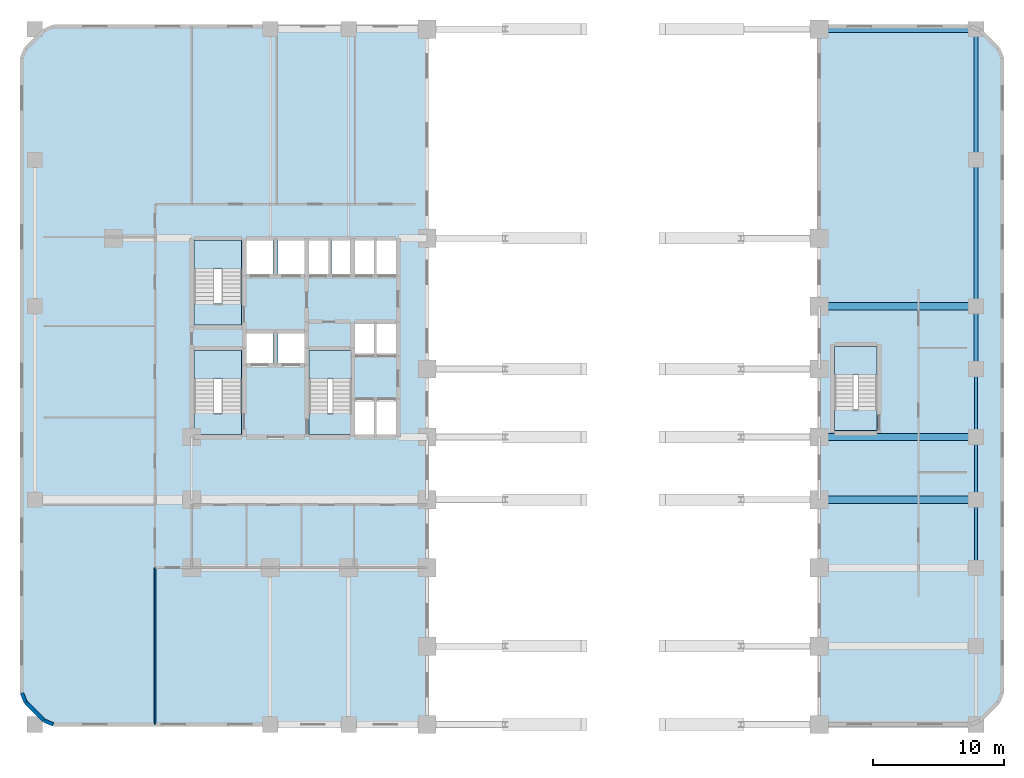
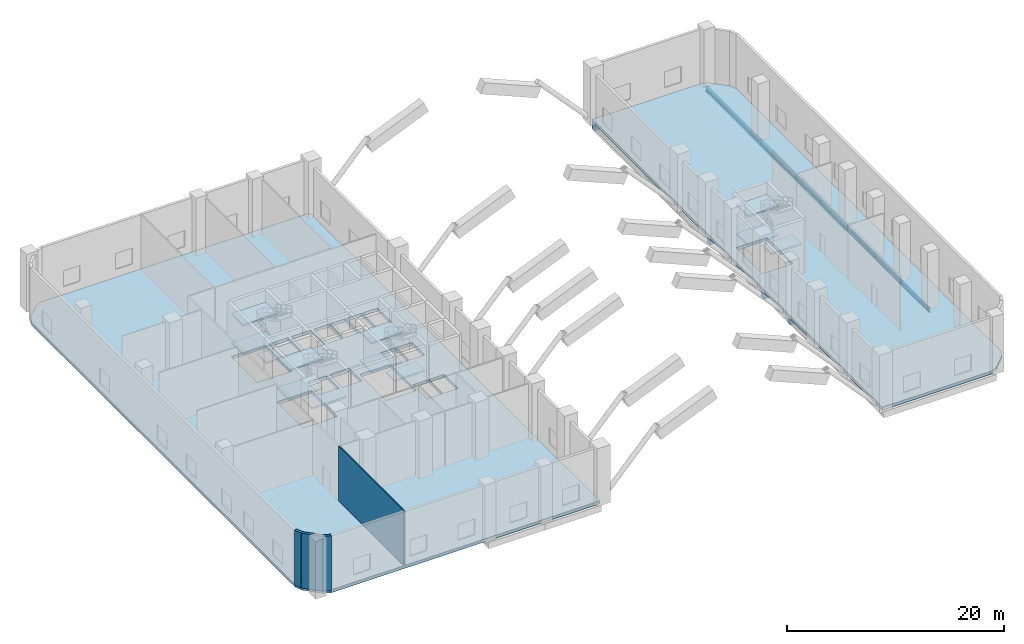
# One storey, part 2 of 10: 14 slabs, 10 beams, 4 walls, 4 elements without a shape of their own.
"""IFC4 building model written with IfcOpenShell, lengths in metres."""

from ifc_helpers import new_model, si_unit, direction, frame, frame_2d, origin, origin_2d, place, context, subcontext, project, spatial, polyline, rectangle, i_section, outline, extrude, material, layer, layer_set, material_profile, profile_set, type_object, element, aggregate, save


model = new_model("IFC4")

# Units and contexts
model_context = context("Model", 3, precision=1e-05, world=origin(), true_north=direction((0.0, 1.0)))
body_context = subcontext(model_context, "Body", "Model", "MODEL_VIEW")
ifc_project = project(units=[si_unit("LENGTHUNIT", "METRE"), si_unit("AREAUNIT", "SQUARE_METRE"), si_unit("VOLUMEUNIT", "CUBIC_METRE"), si_unit("PLANEANGLEUNIT", "RADIAN"), si_unit("MASSUNIT", "GRAM", prefix="KILO")], contexts=[model_context])

# Site, building, storey
site_placement = place(None, origin())
site = spatial("IfcSite", under=ifc_project, at=site_placement, CompositionType="ELEMENT")
building_placement = place(site_placement, origin())
building = spatial("IfcBuilding", under=site, at=building_placement, Name="Keshet Zoharim Tower", CompositionType="ELEMENT")
storey_placement = place(building_placement, frame((0.0, 0.0, 6.5)))
storey = spatial("IfcBuildingStorey", under=building, at=storey_placement, Name="L01", CompositionType="ELEMENT", Elevation=6.5)

# Beams
ifc_material_1 = material(Name="Concrete C50/60", Category="concrete")
ifc_material_profile_1 = material_profile(ifc_material_1, rectangle(XDim=0.550048828125, YDim=0.699951171875, at=origin_2d()), Name="RC700x550")
ifc_profile_set_1 = profile_set([ifc_material_profile_1], Name="Concrete C50/60")
beam_type_1 = type_object("IfcBeamType", Name="BM-LNT-700", PredefinedType="LINTEL", material=ifc_profile_set_1)
for number, where, z_axis, x_axis, name in (
    (1, (63.0, 17.89990234375, -0.679931640625), (1.0, 0.0, 0.0), (0.0, 1.0, 0.0), "L01 Primary Girder X-011"),
    (2, (63.0, 22.699951171875, -0.679931640625), (1.0, 0.0, 0.0), (0.0, 1.0, 0.0), "L01 Primary Girder X-013"),
    (3, (63.0, 32.699951171875, -0.679931640625), (1.0, 0.0, 0.0), (0.0, 1.0, 0.0), "L01 Primary Girder X-014"),
    (4, (63.0, 53.89990234375, -0.679931640625), (1.0, 0.0, 0.0), (0.0, 1.0, 0.0), "L01 Primary Girder X-019"),
):
    element("IfcBeam", number, at=place(storey_placement, frame(where, z_axis=z_axis, x_axis=x_axis)), inside=storey, type_object=beam_type_1, Name=name, PredefinedType="LINTEL", context=body_context, shape_type="SweptSolid", body=[
        extrude(rectangle(XDim=0.550048828125, YDim=0.699951171875, at=origin_2d()), origin(), (0.0, 0.0, 1.0), 12.0),
    ])
ifc_material_2 = material(Name="Steel S355", Category="steel")
ifc_material_profile_2 = material_profile(ifc_material_2, i_section(OverallWidth=0.300048828125, OverallDepth=0.5, WebThickness=0.014404296875, FlangeThickness=0.028076171875, FilletRadius=0.027099609375, at=origin_2d()), Name="HEB500")
ifc_profile_set_2 = profile_set([ifc_material_profile_2], Name="Steel S355")
beam_type_2 = type_object("IfcBeamType", Name="BM-MED-HB500", PredefinedType="BEAM", material=ifc_profile_set_2)
beam_1_placement = place(storey_placement, frame((75.0, 27.89990234375, -0.580078125), z_axis=(0.0, 1.0, 0.0), x_axis=(-1.0, 0.0, 0.0)))
element("IfcBeam", 5, at=beam_1_placement, inside=storey, type_object=beam_type_2, Name="L01 Primary Girder Y-027", PredefinedType="BEAM", context=body_context, shape_type="SweptSolid", body=[
    extrude(i_section(OverallWidth=0.300048828125, OverallDepth=0.5, WebThickness=0.014404296875, FlangeThickness=0.028076171875, FilletRadius=0.027099609375, at=origin_2d()), origin(), (0.0, 0.0, 1.0), 4.800048828125),
])
beam_2_placement = place(storey_placement, frame((75.0, 32.699951171875, -0.580078125), z_axis=(0.0, 1.0, 0.0), x_axis=(-1.0, 0.0, 0.0)))
element("IfcBeam", 6, at=beam_2_placement, inside=storey, type_object=beam_type_2, Name="L01 Primary Girder Y-028", PredefinedType="BEAM", context=body_context, shape_type="SweptSolid", body=[
    extrude(i_section(OverallWidth=0.300048828125, OverallDepth=0.5, WebThickness=0.014404296875, FlangeThickness=0.028076171875, FilletRadius=0.027099609375, at=origin_2d()), origin(), (0.0, 0.0, 1.0), 11.199951171875),
])
beam_3_placement = place(storey_placement, frame((75.0, 43.89990234375, -0.580078125), z_axis=(0.0, 1.0, 0.0), x_axis=(-1.0, 0.0, 0.0)))
element("IfcBeam", 7, at=beam_3_placement, inside=storey, type_object=beam_type_2, Name="L01 Primary Girder Y-029", PredefinedType="BEAM", context=body_context, shape_type="SweptSolid", body=[
    extrude(i_section(OverallWidth=0.300048828125, OverallDepth=0.5, WebThickness=0.014404296875, FlangeThickness=0.028076171875, FilletRadius=0.027099609375, at=origin_2d()), origin(), (0.0, 0.0, 1.0), 10.0),
])
ifc_material_profile_3 = material_profile(ifc_material_2, i_section(OverallWidth=0.199951171875, OverallDepth=0.5, WebThickness=0.01025390625, FlangeThickness=0.01611328125, FilletRadius=0.02099609375, at=origin_2d()), Name="IPE500")
ifc_profile_set_3 = profile_set([ifc_material_profile_3], Name="Steel S355")
beam_type_3 = type_object("IfcBeamType", Name="BM-PRI-IP500", PredefinedType="BEAM", material=ifc_profile_set_3)
beam_4_placement = place(storey_placement, frame((75.0, 12.699951171875, -0.580078125), z_axis=(0.0, 1.0, 0.0), x_axis=(-1.0, 0.0, 0.0)))
element("IfcBeam", 8, at=beam_4_placement, inside=storey, type_object=beam_type_3, Name="L01 Primary Girder Y-024", PredefinedType="BEAM", context=body_context, shape_type="SweptSolid", body=[
    extrude(i_section(OverallWidth=0.199951171875, OverallDepth=0.5, WebThickness=0.01025390625, FlangeThickness=0.01611328125, FilletRadius=0.02099609375, at=origin_2d()), origin(), (0.0, 0.0, 1.0), 5.199951171875),
])
beam_5_placement = place(storey_placement, frame((75.0, 17.89990234375, -0.580078125), z_axis=(0.0, 1.0, 0.0), x_axis=(-1.0, 0.0, 0.0)))
element("IfcBeam", 9, at=beam_5_placement, inside=storey, type_object=beam_type_3, Name="L01 Primary Girder Y-025", PredefinedType="BEAM", context=body_context, shape_type="SweptSolid", body=[
    extrude(i_section(OverallWidth=0.199951171875, OverallDepth=0.5, WebThickness=0.01025390625, FlangeThickness=0.01611328125, FilletRadius=0.02099609375, at=origin_2d()), origin(), (0.0, 0.0, 1.0), 4.800048828125),
])
beam_6_placement = place(storey_placement, frame((75.0, 22.699951171875, -0.580078125), z_axis=(0.0, 1.0, 0.0), x_axis=(-1.0, 0.0, 0.0)))
element("IfcBeam", 10, at=beam_6_placement, inside=storey, type_object=beam_type_3, Name="L01 Primary Girder Y-026", PredefinedType="BEAM", context=body_context, shape_type="SweptSolid", body=[
    extrude(i_section(OverallWidth=0.199951171875, OverallDepth=0.5, WebThickness=0.01025390625, FlangeThickness=0.01611328125, FilletRadius=0.02099609375, at=origin_2d()), origin(), (0.0, 0.0, 1.0), 5.199951171875),
])

# Slabs
ifc_layer_1 = layer(ifc_material_1, 0.330078125)
ifc_layer_set_1 = layer_set([ifc_layer_1], Name="Concrete C50/60")
slab_type_1 = type_object("IfcSlabType", Name="SLB-CLN-280", PredefinedType="FLOOR", material=ifc_layer_set_1)
slab_1_placement = place(storey_placement, frame((0.0, 0.0, -0.330078125)))
element("IfcSlab", 11, at=slab_1_placement, inside=storey, type_object=slab_type_1, Name="L01 Structural Floor Slab 1", PredefinedType="FLOOR", context=body_context, shape_type="SweptSolid", body=[
    extrude(outline(polyline([(2.0, 3.114013671875), (2.0, 51.68603515625), (2.29296875, 52.39306640625), (3.70703125, 53.806884765625), (4.4140625, 54.10009765625), (33.0, 54.10009765625), (33.0, 0.699951171875), (4.4140625, 0.699951171875), (3.70703125, 0.992919921875), (2.29296875, 2.406982421875), (2.0, 3.114013671875)]), holes=[polyline([(15.179931640625, 24.52001953125), (18.820068359375, 24.52001953125), (18.820068359375, 29.320068359375), (15.179931640625, 29.320068359375), (15.179931640625, 24.52001953125)]), polyline([(15.179931640625, 32.919921875), (18.820068359375, 32.919921875), (18.820068359375, 37.719970703125), (15.179931640625, 37.719970703125), (15.179931640625, 32.919921875)]), polyline([(23.97998046875, 24.52001953125), (27.219970703125, 24.52001953125), (27.219970703125, 29.320068359375), (23.97998046875, 29.320068359375), (23.97998046875, 24.52001953125)]), polyline([(19.179931640625, 35.14990234375), (21.219970703125, 35.14990234375), (21.219970703125, 37.719970703125), (19.179931640625, 37.719970703125), (19.179931640625, 35.14990234375)]), polyline([(21.580078125, 35.14990234375), (23.6201171875, 35.14990234375), (23.6201171875, 37.719970703125), (21.580078125, 37.719970703125), (21.580078125, 35.14990234375)]), polyline([(19.179931640625, 28.35009765625), (21.219970703125, 28.35009765625), (21.219970703125, 30.679931640625), (19.179931640625, 30.679931640625), (19.179931640625, 28.35009765625)]), polyline([(21.580078125, 28.35009765625), (23.6201171875, 28.35009765625), (23.6201171875, 30.679931640625), (21.580078125, 30.679931640625), (21.580078125, 28.35009765625)]), polyline([(23.949951171875, 35.14990234375), (25.550048828125, 35.14990234375), (25.550048828125, 37.719970703125), (23.949951171875, 37.719970703125), (23.949951171875, 35.14990234375)]), polyline([(25.679931640625, 35.14990234375), (27.280029296875, 35.14990234375), (27.280029296875, 37.719970703125), (25.679931640625, 37.719970703125), (25.679931640625, 35.14990234375)]), polyline([(27.419921875, 35.14990234375), (29.02001953125, 35.14990234375), (29.02001953125, 37.719970703125), (27.419921875, 37.719970703125), (27.419921875, 35.14990234375)]), polyline([(29.14990234375, 35.14990234375), (30.719970703125, 35.14990234375), (30.719970703125, 37.719970703125), (29.14990234375, 37.719970703125), (29.14990234375, 35.14990234375)]), polyline([(27.39990234375, 29.050048828125), (29.02001953125, 29.050048828125), (29.02001953125, 31.3798828125), (27.39990234375, 31.3798828125), (27.39990234375, 29.050048828125)]), polyline([(29.1201171875, 29.050048828125), (30.719970703125, 29.050048828125), (30.719970703125, 31.3798828125), (29.1201171875, 31.3798828125), (29.1201171875, 29.050048828125)]), polyline([(27.39990234375, 22.8798828125), (29.02001953125, 22.8798828125), (29.02001953125, 25.449951171875), (27.39990234375, 25.449951171875), (27.39990234375, 22.8798828125)]), polyline([(29.1201171875, 22.8798828125), (30.719970703125, 22.8798828125), (30.719970703125, 25.449951171875), (29.1201171875, 25.449951171875), (29.1201171875, 22.8798828125)])]), origin(), (0.0, 0.0, 1.0), 0.330078125),
])
slab_2_placement = place(storey_placement, frame((0.0, 0.0, -0.330078125)))
element("IfcSlab", 12, at=slab_2_placement, inside=storey, type_object=slab_type_1, Name="L01 Structural Floor Slab 2", PredefinedType="FLOOR", context=body_context, shape_type="SweptSolid", body=[
    extrude(outline(polyline([(74.5859375, 54.10009765625), (75.29296875, 53.806884765625), (76.70703125, 52.39306640625), (77.0, 51.68603515625), (77.0, 3.114013671875), (76.70703125, 2.406982421875), (75.29296875, 0.992919921875), (74.5859375, 0.699951171875), (63.0, 0.699951171875), (63.0, 54.10009765625), (74.5859375, 54.10009765625)]), holes=[polyline([(64.179931640625, 24.820068359375), (67.419921875, 24.820068359375), (67.419921875, 29.6201171875), (64.179931640625, 29.6201171875), (64.179931640625, 24.820068359375)])]), origin(), (0.0, 0.0, 1.0), 0.330078125),
])

# Stair, slabs
stair_type = type_object("IfcStairType", Name="STR-POD-135", PredefinedType="HALF_TURN_STAIR", material=ifc_material_1)
stair_1_placement = place(storey_placement, origin())
stair_1 = element("IfcStair", 13, at=stair_1_placement, inside=storey, type_object=stair_type, Name="L01 Enclosed Exit Stair ST-01", PredefinedType="HALF_TURN_STAIR")
ifc_layer_2 = layer(ifc_material_1, 0.199951171875)
ifc_layer_set_2 = layer_set([ifc_layer_2], Name="Concrete C50/60")
slab_type_2 = type_object("IfcSlabType", Name="SLB-LND-200", PredefinedType="LANDING", material=ifc_layer_set_2)
slab_3_placement = place(storey_placement, frame((0.0, 0.0, 1.425048828125)))
slab_3 = element("IfcSlab", 14, at=slab_3_placement, type_object=slab_type_2, Name="ST-01 landing 1", PredefinedType="LANDING", context=body_context, shape_type="SweptSolid", body=[
    extrude(outline(polyline([(15.179931640625, 27.14990234375), (18.820068359375, 27.14990234375), (18.820068359375, 29.320068359375), (15.179931640625, 29.320068359375), (15.179931640625, 27.14990234375)])), origin(), (0.0, 0.0, 1.0), 0.199951171875),
])
slab_4_placement = place(storey_placement, frame((0.0, 0.0, 3.050048828125)))
slab_4 = element("IfcSlab", 15, at=slab_4_placement, type_object=slab_type_2, Name="ST-01 landing 2", PredefinedType="LANDING", context=body_context, shape_type="SweptSolid", body=[
    extrude(outline(polyline([(15.179931640625, 22.8798828125), (18.820068359375, 22.8798828125), (18.820068359375, 24.52001953125), (15.179931640625, 24.52001953125), (15.179931640625, 22.8798828125)])), origin(), (0.0, 0.0, 1.0), 0.199951171875),
])
slab_5_placement = place(storey_placement, frame((0.0, 0.0, 4.675048828125)))
slab_5 = element("IfcSlab", 16, at=slab_5_placement, type_object=slab_type_2, Name="ST-01 landing 3", PredefinedType="LANDING", context=body_context, shape_type="SweptSolid", body=[
    extrude(outline(polyline([(15.179931640625, 27.14990234375), (18.820068359375, 27.14990234375), (18.820068359375, 29.320068359375), (15.179931640625, 29.320068359375), (15.179931640625, 27.14990234375)])), origin(), (0.0, 0.0, 1.0), 0.199951171875),
])
aggregate(stair_1, [slab_3, slab_4, slab_5])

stair_2_placement = place(storey_placement, origin())
stair_2 = element("IfcStair", 17, at=stair_2_placement, inside=storey, type_object=stair_type, Name="L01 Enclosed Exit Stair ST-02", PredefinedType="HALF_TURN_STAIR")
slab_6_placement = place(storey_placement, frame((0.0, 0.0, 1.425048828125)))
slab_6 = element("IfcSlab", 18, at=slab_6_placement, type_object=slab_type_2, Name="ST-02 landing 1", PredefinedType="LANDING", context=body_context, shape_type="SweptSolid", body=[
    extrude(outline(polyline([(15.179931640625, 35.550048828125), (18.820068359375, 35.550048828125), (18.820068359375, 37.719970703125), (15.179931640625, 37.719970703125), (15.179931640625, 35.550048828125)])), origin(), (0.0, 0.0, 1.0), 0.199951171875),
])
slab_7_placement = place(storey_placement, frame((0.0, 0.0, 3.050048828125)))
slab_7 = element("IfcSlab", 19, at=slab_7_placement, type_object=slab_type_2, Name="ST-02 landing 2", PredefinedType="LANDING", context=body_context, shape_type="SweptSolid", body=[
    extrude(outline(polyline([(15.179931640625, 31.280029296875), (18.820068359375, 31.280029296875), (18.820068359375, 32.919921875), (15.179931640625, 32.919921875), (15.179931640625, 31.280029296875)])), origin(), (0.0, 0.0, 1.0), 0.199951171875),
])
slab_8_placement = place(storey_placement, frame((0.0, 0.0, 4.675048828125)))
slab_8 = element("IfcSlab", 20, at=slab_8_placement, type_object=slab_type_2, Name="ST-02 landing 3", PredefinedType="LANDING", context=body_context, shape_type="SweptSolid", body=[
    extrude(outline(polyline([(15.179931640625, 35.550048828125), (18.820068359375, 35.550048828125), (18.820068359375, 37.719970703125), (15.179931640625, 37.719970703125), (15.179931640625, 35.550048828125)])), origin(), (0.0, 0.0, 1.0), 0.199951171875),
])
aggregate(stair_2, [slab_6, slab_7, slab_8])

stair_3_placement = place(storey_placement, origin())
stair_3 = element("IfcStair", 21, at=stair_3_placement, inside=storey, type_object=stair_type, Name="L01 Enclosed Exit Stair ST-03", PredefinedType="HALF_TURN_STAIR")
slab_9_placement = place(storey_placement, frame((0.0, 0.0, 1.425048828125)))
slab_9 = element("IfcSlab", 22, at=slab_9_placement, type_object=slab_type_2, Name="ST-03 landing 1", PredefinedType="LANDING", context=body_context, shape_type="SweptSolid", body=[
    extrude(outline(polyline([(23.97998046875, 27.14990234375), (27.219970703125, 27.14990234375), (27.219970703125, 29.320068359375), (23.97998046875, 29.320068359375), (23.97998046875, 27.14990234375)])), origin(), (0.0, 0.0, 1.0), 0.199951171875),
])
slab_10_placement = place(storey_placement, frame((0.0, 0.0, 3.050048828125)))
slab_10 = element("IfcSlab", 23, at=slab_10_placement, type_object=slab_type_2, Name="ST-03 landing 2", PredefinedType="LANDING", context=body_context, shape_type="SweptSolid", body=[
    extrude(outline(polyline([(23.97998046875, 22.8798828125), (27.219970703125, 22.8798828125), (27.219970703125, 24.52001953125), (23.97998046875, 24.52001953125), (23.97998046875, 22.8798828125)])), origin(), (0.0, 0.0, 1.0), 0.199951171875),
])
slab_11_placement = place(storey_placement, frame((0.0, 0.0, 4.675048828125)))
slab_11 = element("IfcSlab", 24, at=slab_11_placement, type_object=slab_type_2, Name="ST-03 landing 3", PredefinedType="LANDING", context=body_context, shape_type="SweptSolid", body=[
    extrude(outline(polyline([(23.97998046875, 27.14990234375), (27.219970703125, 27.14990234375), (27.219970703125, 29.320068359375), (23.97998046875, 29.320068359375), (23.97998046875, 27.14990234375)])), origin(), (0.0, 0.0, 1.0), 0.199951171875),
])
aggregate(stair_3, [slab_9, slab_10, slab_11])

stair_4_placement = place(storey_placement, origin())
stair_4 = element("IfcStair", 25, at=stair_4_placement, inside=storey, type_object=stair_type, Name="L01 Enclosed Exit Stair ST-04", PredefinedType="HALF_TURN_STAIR")
slab_12_placement = place(storey_placement, frame((0.0, 0.0, 1.425048828125)))
slab_12 = element("IfcSlab", 26, at=slab_12_placement, type_object=slab_type_2, Name="ST-04 landing 1", PredefinedType="LANDING", context=body_context, shape_type="SweptSolid", body=[
    extrude(outline(polyline([(64.179931640625, 27.449951171875), (67.419921875, 27.449951171875), (67.419921875, 29.6201171875), (64.179931640625, 29.6201171875), (64.179931640625, 27.449951171875)])), origin(), (0.0, 0.0, 1.0), 0.199951171875),
])
slab_13_placement = place(storey_placement, frame((0.0, 0.0, 3.050048828125)))
slab_13 = element("IfcSlab", 27, at=slab_13_placement, type_object=slab_type_2, Name="ST-04 landing 2", PredefinedType="LANDING", context=body_context, shape_type="SweptSolid", body=[
    extrude(outline(polyline([(64.179931640625, 23.179931640625), (67.419921875, 23.179931640625), (67.419921875, 24.820068359375), (64.179931640625, 24.820068359375), (64.179931640625, 23.179931640625)])), origin(), (0.0, 0.0, 1.0), 0.199951171875),
])
slab_14_placement = place(storey_placement, frame((0.0, 0.0, 4.675048828125)))
slab_14 = element("IfcSlab", 28, at=slab_14_placement, type_object=slab_type_2, Name="ST-04 landing 3", PredefinedType="LANDING", context=body_context, shape_type="SweptSolid", body=[
    extrude(outline(polyline([(64.179931640625, 27.449951171875), (67.419921875, 27.449951171875), (67.419921875, 29.6201171875), (64.179931640625, 29.6201171875), (64.179931640625, 27.449951171875)])), origin(), (0.0, 0.0, 1.0), 0.199951171875),
])
aggregate(stair_4, [slab_12, slab_13, slab_14])

# Walls
ifc_material_3 = material(Name="Concrete C50/60 precast", Category="concrete")
ifc_layer_3 = layer(ifc_material_3, 0.280029296875)
ifc_layer_set_3 = layer_set([ifc_layer_3], Name="Concrete C50/60 precast")
wall_type_1 = type_object("IfcWallType", Name="WL-EXT-280", PredefinedType="STANDARD", material=ifc_layer_set_3)
wall_1_placement = place(storey_placement, frame((4.4140625, 0.699951171875, 0.0), z_axis=(0.0, 0.0, 1.0), x_axis=(-0.92383017907, 0.382802560388, 0.0)))
element("IfcWall", 29, at=wall_1_placement, inside=storey, type_object=wall_type_1, Name="L01 Podium Precast Facade Wall 08", PredefinedType="STANDARD", context=body_context, shape_type="SweptSolid", body=[
    extrude(rectangle(XDim=0.765380859375, YDim=0.280029296875, at=frame_2d((0.3828125, 0.0))), origin(), (0.0, 0.0, 1.0), 6.169921875),
])
wall_2_placement = place(storey_placement, frame((3.70703125, 0.992919921875, 0.0), z_axis=(0.0, 0.0, 1.0), x_axis=(-0.707106781187, 0.707106781187, 0.0)))
element("IfcWall", 30, at=wall_2_placement, inside=storey, type_object=wall_type_1, Name="L01 Podium Precast Facade Wall 09", PredefinedType="STANDARD", context=body_context, shape_type="SweptSolid", body=[
    extrude(rectangle(XDim=1.999755859375, YDim=0.280029296875, at=frame_2d((1.0, 0.0))), origin(), (0.0, 0.0, 1.0), 6.169921875),
])
wall_3_placement = place(storey_placement, frame((2.29296875, 2.406982421875, 0.0), z_axis=(0.0, 0.0, 1.0), x_axis=(-0.382802560388, 0.92383017907, 0.0)))
element("IfcWall", 31, at=wall_3_placement, inside=storey, type_object=wall_type_1, Name="L01 Podium Precast Facade Wall 10", PredefinedType="STANDARD", context=body_context, shape_type="SweptSolid", body=[
    extrude(rectangle(XDim=0.765380859375, YDim=0.280029296875, at=frame_2d((0.3828125, 0.0))), origin(), (0.0, 0.0, 1.0), 6.169921875),
])
ifc_material_4 = material(Name="Gypsum Plasterboard", Category="gypsum")
ifc_layer_4 = layer(ifc_material_4, 0.1201171875)
ifc_layer_set_4 = layer_set([ifc_layer_4], Name="Gypsum Plasterboard")
wall_type_2 = type_object("IfcWallType", Name="WL-PART-120", PredefinedType="PARTITIONING", material=ifc_layer_set_4)
wall_4_placement = place(storey_placement, frame((12.199951171875, 0.7099609375, 0.0), z_axis=(0.0, 0.0, 1.0), x_axis=(0.0, 1.0, 0.0)))
element("IfcWall", 32, at=wall_4_placement, inside=storey, type_object=wall_type_2, Name="L01 Interior Wall 001", PredefinedType="PARTITIONING", context=body_context, shape_type="SweptSolid", body=[
    extrude(rectangle(XDim=11.989990234375, YDim=0.1201171875, at=frame_2d((5.9951171875, 0.0))), origin(), (0.0, 0.0, 1.0), 6.169921875),
])

save(model, "model.ifc")
